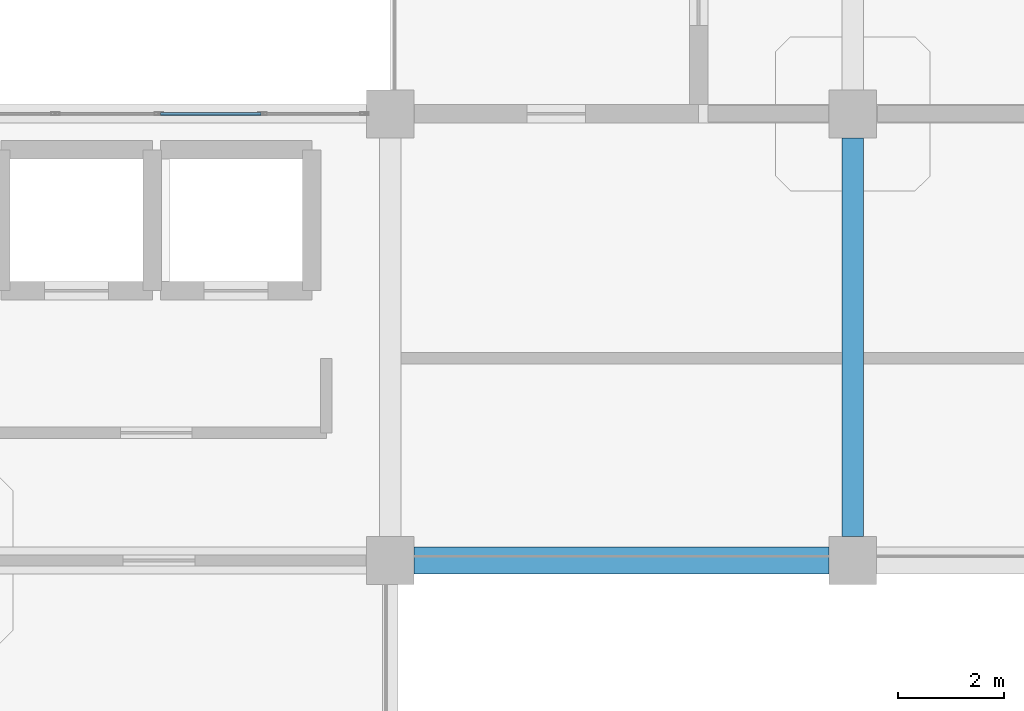
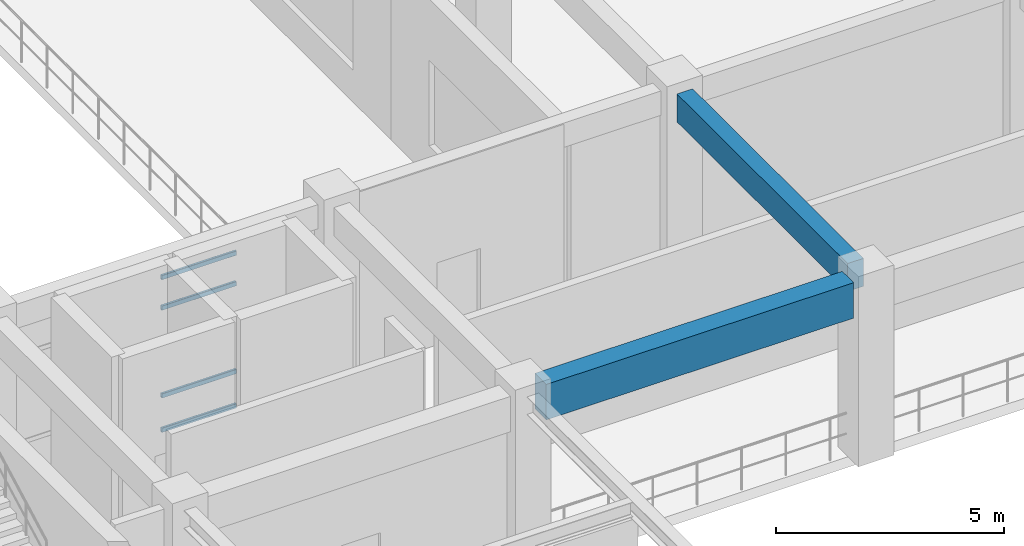
# One storey, part 48 of 120: 4 members, 2 beams, 1 element without a shape of its own.
"""IFC4 building model written with IfcOpenShell, lengths in metres."""

from ifc_helpers import new_model, si_unit, derived_unit, direction, frame, origin, origin_2d, place, context, subcontext, project, spatial, rectangle, hollow_rectangle, extrude, material, layer, layer_set, material_profile, profile_set, type_object, element, aggregate, save


model = new_model("IFC4")

# Units and contexts
model_context = context("Model", 3, precision=1e-05, world=origin(), true_north=direction((0.0, 1.0)))
body_context = subcontext(model_context, "Body", "Model", "MODEL_VIEW")
ifc_project = project(units=[si_unit("LENGTHUNIT", "METRE"), si_unit("AREAUNIT", "SQUARE_METRE"), si_unit("VOLUMEUNIT", "CUBIC_METRE"), si_unit("PLANEANGLEUNIT", "RADIAN"), si_unit("MASSUNIT", "GRAM", prefix="KILO"), derived_unit("THERMALTRANSMITTANCEUNIT", [(si_unit("MASSUNIT", "GRAM", prefix="KILO"), 1), (si_unit("TIMEUNIT", "SECOND"), -3), (si_unit("THERMODYNAMICTEMPERATUREUNIT", "KELVIN"), -1)])], contexts=[model_context])

# Site, building, storey
site_placement = place(None, origin())
site = spatial("IfcSite", under=ifc_project, at=site_placement, CompositionType="ELEMENT")
building_placement = place(site_placement, origin())
building = spatial("IfcBuilding", under=site, at=building_placement, Name="Qinzheling Arcade Emporium", CompositionType="ELEMENT")
storey_placement = place(building_placement, frame((0.0, 0.0, 11.39990234375)))
storey = spatial("IfcBuildingStorey", under=building, at=storey_placement, Name="L03", CompositionType="ELEMENT", Elevation=11.39990234375)

# Curtain wall, members
ifc_material_1 = material(Name="Anodised aluminium and solar-control double glazing", Category="aluminium")
ifc_layer = layer(ifc_material_1, 0.159912109375, Name="Anodised aluminium and solar-control double glazing", Category="aluminium")
ifc_layer_set = layer_set([ifc_layer], Name="Anodised aluminium and solar-control double glazing")
curtain_wall_type = type_object("IfcCurtainWallType", Name="Atrium Clerestory Curtain Wall", PredefinedType="NOTDEFINED", material=ifc_layer_set)
curtain_wall_placement = place(storey_placement, origin())
curtain_wall = element("IfcCurtainWall", 1, at=curtain_wall_placement, inside=storey, type_object=curtain_wall_type, Name="Curtain Wall CW-L03-174", PredefinedType="NOTDEFINED")
ifc_material_2 = material(Name="Anodised aluminium 6063-T6", Category="aluminium")
ifc_material_profile_1 = material_profile(ifc_material_2, hollow_rectangle(XDim=0.06005859375, YDim=0.1201171875, WallThickness=0.00390625, InnerFilletRadius=0.00390625, OuterFilletRadius=0.008056640625, at=origin_2d()), Name="RHS 120x60x4", Category="aluminium")
ifc_profile_set_1 = profile_set([ifc_material_profile_1], Name="Anodised aluminium 6063-T6")
member_type = type_object("IfcMemberType", Name="Curtain Wall Transom RHS120x60", PredefinedType="USERDEFINED", material=ifc_profile_set_1)
member_1_placement = place(storey_placement, frame((47.8798828125, 73.800048828125, 0.030029296875), z_axis=(1.0, 0.0, 0.0), x_axis=(0.0, 1.0, 0.0)))
member_1 = element("IfcMember", 2, at=member_1_placement, type_object=member_type, Name="CW03 transom 3.1", ObjectType="TRANSOM", PredefinedType="USERDEFINED", context=body_context, shape_type="SweptSolid", body=[
    extrude(hollow_rectangle(XDim=0.06005859375, YDim=0.1201171875, WallThickness=0.00390625, InnerFilletRadius=0.00390625, OuterFilletRadius=0.008056640625, at=origin_2d()), origin(), (0.0, 0.0, 1.0), 1.88916015625),
])
member_2_placement = place(storey_placement, frame((47.8798828125, 73.800048828125, 0.9501953125), z_axis=(1.0, 0.0, 0.0), x_axis=(0.0, 1.0, 0.0)))
member_2 = element("IfcMember", 3, at=member_2_placement, type_object=member_type, Name="CW03 transom 3.2", ObjectType="TRANSOM", PredefinedType="USERDEFINED", context=body_context, shape_type="SweptSolid", body=[
    extrude(hollow_rectangle(XDim=0.06005859375, YDim=0.1201171875, WallThickness=0.00390625, InnerFilletRadius=0.00390625, OuterFilletRadius=0.008056640625, at=origin_2d()), origin(), (0.0, 0.0, 1.0), 1.88916015625),
])
member_3_placement = place(storey_placement, frame((47.8798828125, 73.800048828125, 3.30517578125), z_axis=(1.0, 0.0, 0.0), x_axis=(0.0, 1.0, 0.0)))
member_3 = element("IfcMember", 4, at=member_3_placement, type_object=member_type, Name="CW03 transom 3.3", ObjectType="TRANSOM", PredefinedType="USERDEFINED", context=body_context, shape_type="SweptSolid", body=[
    extrude(hollow_rectangle(XDim=0.06005859375, YDim=0.1201171875, WallThickness=0.00390625, InnerFilletRadius=0.00390625, OuterFilletRadius=0.008056640625, at=origin_2d()), origin(), (0.0, 0.0, 1.0), 1.88916015625),
])
member_4_placement = place(storey_placement, frame((47.8798828125, 73.800048828125, 4.125), z_axis=(1.0, 0.0, 0.0), x_axis=(0.0, 1.0, 0.0)))
member_4 = element("IfcMember", 5, at=member_4_placement, type_object=member_type, Name="CW03 transom 3.4", ObjectType="TRANSOM", PredefinedType="USERDEFINED", context=body_context, shape_type="SweptSolid", body=[
    extrude(hollow_rectangle(XDim=0.06005859375, YDim=0.1201171875, WallThickness=0.00390625, InnerFilletRadius=0.00390625, OuterFilletRadius=0.008056640625, at=origin_2d()), origin(), (0.0, 0.0, 1.0), 1.88916015625),
])
aggregate(curtain_wall, [member_1, member_2, member_3, member_4])

# Beams
ifc_material_3 = material(Name="Concrete C40", Category="concrete")
ifc_material_profile_2 = material_profile(ifc_material_3, rectangle(XDim=0.39990234375, YDim=0.75, at=origin_2d()), Name="RC 400x750", Category="concrete")
ifc_profile_set_2 = profile_set([ifc_material_profile_2], Name="Concrete C40")
beam_type_1 = type_object("IfcBeamType", Name="RC Interior Tie Beam 400x750 C40", PredefinedType="BEAM", material=ifc_profile_set_2)
beam_1_placement = place(storey_placement, frame((60.89990234375, 65.85009765625, 4.445068359375), z_axis=(0.0, 1.0, 0.0), x_axis=(-1.0, 0.0, 0.0)))
element("IfcBeam", 6, at=beam_1_placement, inside=storey, type_object=beam_type_1, Name="Beam BM-L03-Y-8-H", PredefinedType="BEAM", context=body_context, shape_type="SweptSolid", body=[
    extrude(rectangle(XDim=0.39990234375, YDim=0.75, at=origin_2d()), origin(), (0.0, 0.0, 1.0), 7.5),
])
ifc_material_profile_3 = material_profile(ifc_material_3, rectangle(XDim=0.5, YDim=0.949951171875, at=origin_2d()), Name="RC 500x950", Category="concrete")
ifc_profile_set_3 = profile_set([ifc_material_profile_3], Name="Concrete C40")
beam_type_2 = type_object("IfcBeamType", Name="RC Vault Ring Beam 500x950 C40", PredefinedType="BEAM", material=ifc_profile_set_3)
beam_2_placement = place(storey_placement, frame((52.64990234375, 65.39990234375, 4.34521484375), z_axis=(1.0, 0.0, 0.0), x_axis=(0.0, 1.0, 0.0)))
element("IfcBeam", 7, at=beam_2_placement, inside=storey, type_object=beam_type_2, Name="Beam BM-L03-X-H-7", PredefinedType="BEAM", context=body_context, shape_type="SweptSolid", body=[
    extrude(rectangle(XDim=0.5, YDim=0.949951171875, at=origin_2d()), origin(), (0.0, 0.0, 1.0), 7.800048828125),
])

save(model, "model.ifc")
